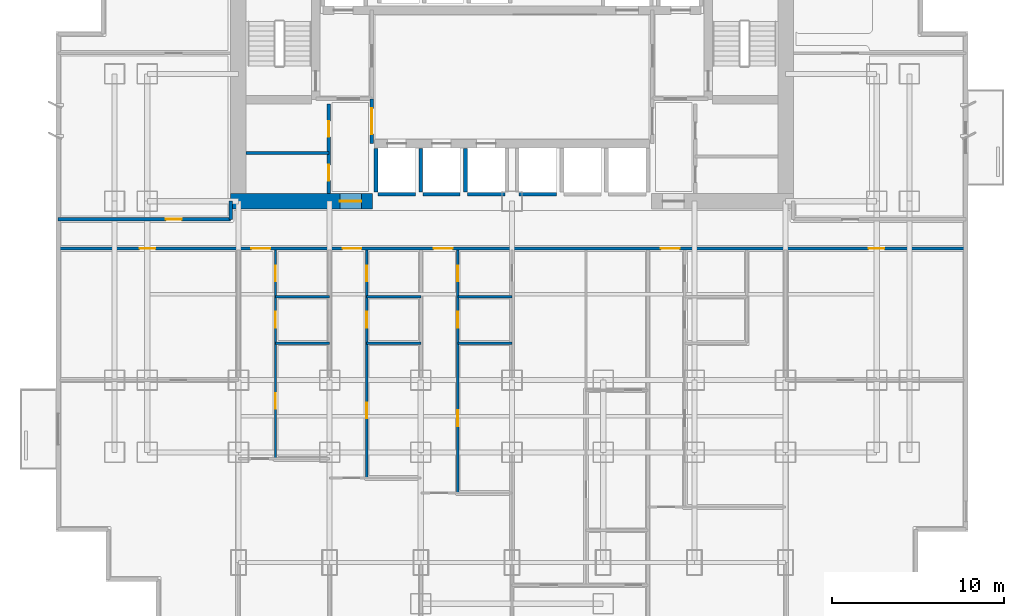
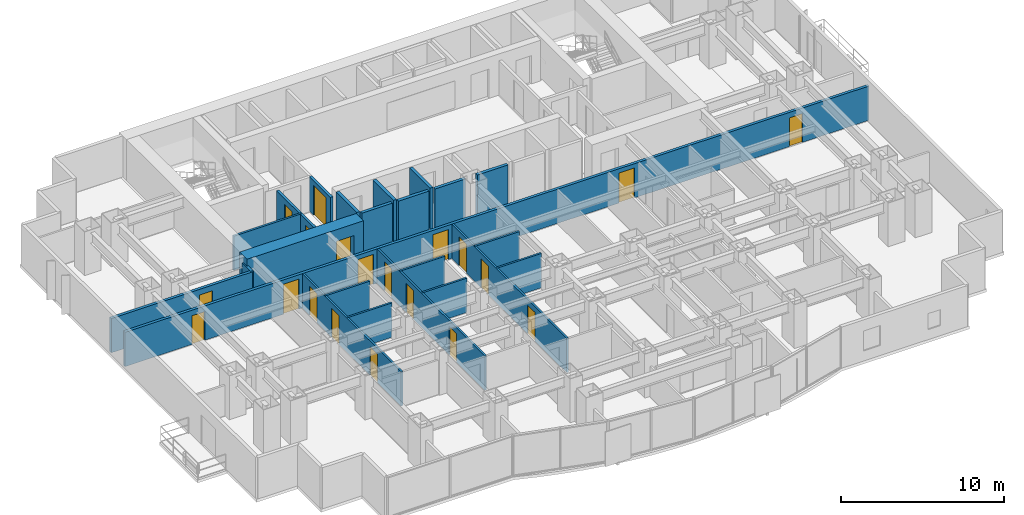
# One storey, part 5 of 10: 23 walls, 20 doors, 20 openings.
"""IFC4 building model written with IfcOpenShell, lengths in metres."""

from ifc_helpers import new_model, si_unit, direction, frame, frame_2d, origin, place, context, subcontext, project, spatial, rectangle, extrude, material, layer, layer_set, type_object, element, fill, save


model = new_model("IFC4")

# Units and contexts
model_context = context("Model", 3, precision=1e-05, world=origin(), true_north=direction((0.0, 1.0)))
body_context = subcontext(model_context, "Body", "Model", "MODEL_VIEW")
ifc_project = project(units=[si_unit("LENGTHUNIT", "METRE"), si_unit("AREAUNIT", "SQUARE_METRE"), si_unit("VOLUMEUNIT", "CUBIC_METRE"), si_unit("PLANEANGLEUNIT", "RADIAN"), si_unit("MASSUNIT", "GRAM", prefix="KILO")], contexts=[model_context])

# Site, building, storey
site_placement = place(None, origin())
site = spatial("IfcSite", under=ifc_project, at=site_placement, CompositionType="ELEMENT")
building_placement = place(site_placement, origin())
building = spatial("IfcBuilding", under=site, at=building_placement, Name="Qianlan Lanfeng Residences", CompositionType="ELEMENT")
storey_placement = place(building_placement, frame((0.0, 0.0, 40.699951171875)))
storey = spatial("IfcBuildingStorey", under=building, at=storey_placement, Name="L10", CompositionType="ELEMENT", Elevation=40.699951171875)

# Wall, opening, door
ifc_material_1 = material(Name="Concrete C70", Category="concrete")
ifc_layer_1 = layer(ifc_material_1, 0.89990234375)
ifc_layer_set_1 = layer_set([ifc_layer_1], Name="Concrete C70")
wall_type_1 = type_object("IfcWallType", Name="CW-RC-900", PredefinedType="SHEAR", material=ifc_layer_set_1)
wall_1_placement = place(storey_placement, frame((10.14990234375, 25.199951171875, 0.0), z_axis=(0.0, 0.0, 1.0), x_axis=(1.0, 0.0, 0.0)))
wall_1 = element("IfcWall", 1, at=wall_1_placement, inside=storey, type_object=wall_type_1, Name="L10 Core Shear Wall SW", PredefinedType="SHEAR", context=body_context, shape_type="SweptSolid", body=[
    extrude(rectangle(XDim=8.25, YDim=0.89990234375, at=frame_2d((4.125, 0.0))), origin(), (0.0, 0.0, 1.0), 3.080078125),
])
opening_1_placement = place(wall_1_placement, frame((6.35009765625, 0.0, 0.0)))
opening_1 = element("IfcOpeningElement", 2, at=opening_1_placement, cuts=wall_1, Name="Opening L10-D01", PredefinedType="OPENING", context=body_context, shape_type="SweptSolid", body=[
    extrude(rectangle(XDim=1.25, YDim=2.199951171875, at=frame_2d((0.625, 1.10009765625))), frame((0.0, 0.4599609375, 0.0), z_axis=(0.0, -1.0, 0.0), x_axis=(1.0, 0.0, 0.0)), (0.0, 0.0, 1.0), 0.919921875),
])
ifc_material_2 = material(Name="Painted Galvanised Steel Fire Door", Category="steel")
door_type_1 = type_object("IfcDoorType", Name="DT-FFL", OperationType="NOTDEFINED", PredefinedType="DOOR", material=ifc_material_2)
door_1_placement = place(opening_1_placement, frame((1.25, 0.0, 0.0), z_axis=(0.0, 0.0, 1.0), x_axis=(-1.0, 0.0, 0.0)))
door_1 = element("IfcDoor", 3, at=door_1_placement, inside=storey, type_object=door_type_1, Name="L10 West Core Lobby Smoke Door L10-D01 (DT-FFL)", OperationType="SINGLE_SWING_RIGHT", OverallHeight=2.199951171875, OverallWidth=1.25, PredefinedType="DOOR", context=body_context, shape_type="SweptSolid", body=[
    extrude(rectangle(XDim=1.25, YDim=2.199951171875, at=frame_2d((0.625, 1.10009765625))), frame((0.0, 0.02490234375, 0.0), z_axis=(0.0, -1.0, 0.0), x_axis=(1.0, 0.0, 0.0)), (0.0, 0.0, 1.0), 0.050048828125),
])
fill(opening_1, door_1)

# Wall, openings, doors
ifc_material_3 = material(Name="Moisture-Resistant Gypsum Partition 135 mm")
ifc_layer_2 = layer(ifc_material_3, 0.135009765625)
ifc_layer_set_2 = layer_set([ifc_layer_2], Name="Moisture-Resistant Gypsum Partition 135 mm")
wall_type_2 = type_object("IfcWallType", Name="PW-135", PredefinedType="PARTITIONING", material=ifc_layer_set_2)
wall_2_placement = place(storey_placement, frame((12.75, 10.219970703125, 0.0), z_axis=(0.0, 0.0, 1.0), x_axis=(0.0, 1.0, 0.0)))
wall_2 = element("IfcWall", 4, at=wall_2_placement, inside=storey, type_object=wall_type_2, Name="L10 U01 Entry Hall Spine", PredefinedType="PARTITIONING", context=body_context, shape_type="SweptSolid", body=[
    extrude(rectangle(XDim=12.130126953125, YDim=0.135009765625, at=frame_2d((6.06494140625, 0.0))), origin(), (0.0, 0.0, 1.0), 2.570068359375),
])
opening_2_placement = place(wall_2_placement, frame((2.905029296875, 0.0, 0.0)))
opening_2 = element("IfcOpeningElement", 5, at=opening_2_placement, cuts=wall_2, Name="Opening L10-D17", PredefinedType="OPENING", context=body_context, shape_type="SweptSolid", body=[
    extrude(rectangle(XDim=0.919921875, YDim=2.14990234375, at=frame_2d((0.4599609375, 1.074951171875))), frame((0.0, 0.07763671875, 0.0), z_axis=(0.0, -1.0, 0.0), x_axis=(1.0, 0.0, 0.0)), (0.0, 0.0, 1.0), 0.155029296875),
])
opening_3_placement = place(wall_2_placement, frame((7.6201171875, 0.0, 0.0)))
opening_3 = element("IfcOpeningElement", 6, at=opening_3_placement, cuts=wall_2, Name="Opening L10-D18", PredefinedType="OPENING", context=body_context, shape_type="SweptSolid", body=[
    extrude(rectangle(XDim=0.919921875, YDim=2.14990234375, at=frame_2d((0.4599609375, 1.074951171875))), frame((0.0, 0.07763671875, 0.0), z_axis=(0.0, -1.0, 0.0), x_axis=(1.0, 0.0, 0.0)), (0.0, 0.0, 1.0), 0.155029296875),
])
opening_4_placement = place(wall_2_placement, frame((10.330078125, 0.0, 0.0)))
opening_4 = element("IfcOpeningElement", 7, at=opening_4_placement, cuts=wall_2, Name="Opening L10-D19", PredefinedType="OPENING", context=body_context, shape_type="SweptSolid", body=[
    extrude(rectangle(XDim=0.89990234375, YDim=2.14990234375, at=frame_2d((0.449951171875, 1.074951171875))), frame((0.0, 0.07763671875, 0.0), z_axis=(0.0, -1.0, 0.0), x_axis=(1.0, 0.0, 0.0)), (0.0, 0.0, 1.0), 0.155029296875),
])
ifc_material_4 = material(Name="Glazed Timber Kitchen/Study Door", Category="wood")
door_type_2 = type_object("IfcDoorType", Name="DT-INT", OperationType="NOTDEFINED", PredefinedType="DOOR", material=ifc_material_4)
door_2_placement = place(opening_2_placement, origin())
door_2 = element("IfcDoor", 8, at=door_2_placement, inside=storey, type_object=door_type_2, Name="L10 U01 Study Door L10-D17 (DT-INT)", OperationType="SINGLE_SWING_RIGHT", OverallHeight=2.14990234375, OverallWidth=0.919921875, PredefinedType="DOOR", context=body_context, shape_type="SweptSolid", body=[
    extrude(rectangle(XDim=0.919921875, YDim=2.14990234375, at=frame_2d((0.4599609375, 1.074951171875))), frame((0.0, 0.02490234375, 0.0), z_axis=(0.0, -1.0, 0.0), x_axis=(1.0, 0.0, 0.0)), (0.0, 0.0, 1.0), 0.050048828125),
])
fill(opening_2, door_2)
door_3_placement = place(opening_3_placement, origin())
door_3 = element("IfcDoor", 9, at=door_3_placement, inside=storey, type_object=door_type_2, Name="L10 U01 Kitchen Door L10-D18 (DT-INT)", OperationType="SINGLE_SWING_LEFT", OverallHeight=2.14990234375, OverallWidth=0.919921875, PredefinedType="DOOR", context=body_context, shape_type="SweptSolid", body=[
    extrude(rectangle(XDim=0.919921875, YDim=2.14990234375, at=frame_2d((0.4599609375, 1.074951171875))), frame((0.0, 0.02490234375, 0.0), z_axis=(0.0, -1.0, 0.0), x_axis=(1.0, 0.0, 0.0)), (0.0, 0.0, 1.0), 0.050048828125),
])
fill(opening_3, door_3)
ifc_material_5 = material(Name="Moisture-Resistant Timber Leaf", Category="wood")
door_type_3 = type_object("IfcDoorType", Name="DT-WC", OperationType="NOTDEFINED", PredefinedType="DOOR", material=ifc_material_5)
door_4_placement = place(opening_4_placement, origin())
door_4 = element("IfcDoor", 10, at=door_4_placement, inside=storey, type_object=door_type_3, Name="L10 U01 Bathroom Door L10-D19 (DT-WC)", OperationType="SINGLE_SWING_RIGHT", OverallHeight=2.14990234375, OverallWidth=0.89990234375, PredefinedType="DOOR", context=body_context, shape_type="SweptSolid", body=[
    extrude(rectangle(XDim=0.89990234375, YDim=2.14990234375, at=frame_2d((0.449951171875, 1.074951171875))), frame((0.0, 0.02490234375, 0.0), z_axis=(0.0, -1.0, 0.0), x_axis=(1.0, 0.0, 0.0)), (0.0, 0.0, 1.0), 0.050048828125),
])
fill(opening_4, door_4)

# Walls
for number, where, z_axis, x_axis, name in (
    (11, (12.75, 16.949951171875, 0.0), (0.0, 0.0, 1.0), (1.0, 0.0, 0.0), "L10 U01 Kitchen South Wall"),
    (12, (12.75, 19.64990234375, 0.0), (0.0, 0.0, 1.0), (1.0, 0.0, 0.0), "L10 U01 Bathroom South Wall"),
):
    element("IfcWall", number, at=place(storey_placement, frame(where, z_axis=z_axis, x_axis=x_axis)), inside=storey, type_object=wall_type_2, Name=name, PredefinedType="PARTITIONING", context=body_context, shape_type="SweptSolid", body=[
        extrude(rectangle(XDim=3.14990234375, YDim=0.135009765625, at=frame_2d((1.574951171875, 0.0))), origin(), (0.0, 0.0, 1.0), 2.570068359375),
    ])

# Wall, openings, doors
wall_3_placement = place(storey_placement, frame((18.050048828125, 9.112060546875, 0.0), z_axis=(0.0, 0.0, 1.0), x_axis=(0.0, 1.0, 0.0)))
wall_3 = element("IfcWall", 13, at=wall_3_placement, inside=storey, type_object=wall_type_2, Name="L10 U02 Entry Hall Spine", PredefinedType="PARTITIONING", context=body_context, shape_type="SweptSolid", body=[
    extrude(rectangle(XDim=13.238037109375, YDim=0.135009765625, at=frame_2d((6.619140625, 0.0))), origin(), (0.0, 0.0, 1.0), 2.570068359375),
])
opening_5_placement = place(wall_3_placement, frame((3.458984375, 0.0, 0.0)))
opening_5 = element("IfcOpeningElement", 14, at=opening_5_placement, cuts=wall_3, Name="Opening L10-D22", PredefinedType="OPENING", context=body_context, shape_type="SweptSolid", body=[
    extrude(rectangle(XDim=0.919921875, YDim=2.14990234375, at=frame_2d((0.4599609375, 1.074951171875))), frame((0.0, 0.07763671875, 0.0), z_axis=(0.0, -1.0, 0.0), x_axis=(1.0, 0.0, 0.0)), (0.0, 0.0, 1.0), 0.155029296875),
])
opening_6_placement = place(wall_3_placement, frame((8.72802734375, 0.0, 0.0)))
opening_6 = element("IfcOpeningElement", 15, at=opening_6_placement, cuts=wall_3, Name="Opening L10-D23", PredefinedType="OPENING", context=body_context, shape_type="SweptSolid", body=[
    extrude(rectangle(XDim=0.919921875, YDim=2.14990234375, at=frame_2d((0.4599609375, 1.074951171875))), frame((0.0, 0.07763671875, 0.0), z_axis=(0.0, -1.0, 0.0), x_axis=(1.0, 0.0, 0.0)), (0.0, 0.0, 1.0), 0.155029296875),
])
opening_7_placement = place(wall_3_placement, frame((11.43798828125, 0.0, 0.0)))
opening_7 = element("IfcOpeningElement", 16, at=opening_7_placement, cuts=wall_3, Name="Opening L10-D24", PredefinedType="OPENING", context=body_context, shape_type="SweptSolid", body=[
    extrude(rectangle(XDim=0.89990234375, YDim=2.14990234375, at=frame_2d((0.449951171875, 1.074951171875))), frame((0.0, 0.07763671875, 0.0), z_axis=(0.0, -1.0, 0.0), x_axis=(1.0, 0.0, 0.0)), (0.0, 0.0, 1.0), 0.155029296875),
])
door_5_placement = place(opening_5_placement, origin())
door_5 = element("IfcDoor", 17, at=door_5_placement, inside=storey, type_object=door_type_2, Name="L10 U02 Study Door L10-D22 (DT-INT)", OperationType="SINGLE_SWING_LEFT", OverallHeight=2.14990234375, OverallWidth=0.919921875, PredefinedType="DOOR", context=body_context, shape_type="SweptSolid", body=[
    extrude(rectangle(XDim=0.919921875, YDim=2.14990234375, at=frame_2d((0.4599609375, 1.074951171875))), frame((0.0, 0.02490234375, 0.0), z_axis=(0.0, -1.0, 0.0), x_axis=(1.0, 0.0, 0.0)), (0.0, 0.0, 1.0), 0.050048828125),
])
fill(opening_5, door_5)
door_6_placement = place(opening_6_placement, origin())
door_6 = element("IfcDoor", 18, at=door_6_placement, inside=storey, type_object=door_type_2, Name="L10 U02 Kitchen Door L10-D23 (DT-INT)", OperationType="SINGLE_SWING_RIGHT", OverallHeight=2.14990234375, OverallWidth=0.919921875, PredefinedType="DOOR", context=body_context, shape_type="SweptSolid", body=[
    extrude(rectangle(XDim=0.919921875, YDim=2.14990234375, at=frame_2d((0.4599609375, 1.074951171875))), frame((0.0, 0.02490234375, 0.0), z_axis=(0.0, -1.0, 0.0), x_axis=(1.0, 0.0, 0.0)), (0.0, 0.0, 1.0), 0.050048828125),
])
fill(opening_6, door_6)
door_7_placement = place(opening_7_placement, origin())
door_7 = element("IfcDoor", 19, at=door_7_placement, inside=storey, type_object=door_type_3, Name="L10 U02 Bathroom Door L10-D24 (DT-WC)", OperationType="SINGLE_SWING_LEFT", OverallHeight=2.14990234375, OverallWidth=0.89990234375, PredefinedType="DOOR", context=body_context, shape_type="SweptSolid", body=[
    extrude(rectangle(XDim=0.89990234375, YDim=2.14990234375, at=frame_2d((0.449951171875, 1.074951171875))), frame((0.0, 0.02490234375, 0.0), z_axis=(0.0, -1.0, 0.0), x_axis=(1.0, 0.0, 0.0)), (0.0, 0.0, 1.0), 0.050048828125),
])
fill(opening_7, door_7)

# Walls
for number, where, z_axis, x_axis, name in (
    (20, (18.050048828125, 16.949951171875, 0.0), (0.0, 0.0, 1.0), (1.0, 0.0, 0.0), "L10 U02 Kitchen South Wall"),
    (21, (18.050048828125, 19.64990234375, 0.0), (0.0, 0.0, 1.0), (1.0, 0.0, 0.0), "L10 U02 Bathroom South Wall"),
):
    element("IfcWall", number, at=place(storey_placement, frame(where, z_axis=z_axis, x_axis=x_axis)), inside=storey, type_object=wall_type_2, Name=name, PredefinedType="PARTITIONING", context=body_context, shape_type="SweptSolid", body=[
        extrude(rectangle(XDim=3.14990234375, YDim=0.135009765625, at=frame_2d((1.574951171875, 0.0))), origin(), (0.0, 0.0, 1.0), 2.570068359375),
    ])

# Wall, openings, doors
wall_4_placement = place(storey_placement, frame((23.35009765625, 8.23388671875, 0.0), z_axis=(0.0, 0.0, 1.0), x_axis=(0.0, 1.0, 0.0)))
wall_4 = element("IfcWall", 22, at=wall_4_placement, inside=storey, type_object=wall_type_2, Name="L10 U03 Entry Hall Spine", PredefinedType="PARTITIONING", context=body_context, shape_type="SweptSolid", body=[
    extrude(rectangle(XDim=14.1162109375, YDim=0.135009765625, at=frame_2d((7.05810546875, 0.0))), origin(), (0.0, 0.0, 1.0), 2.570068359375),
])
opening_8_placement = place(wall_4_placement, frame((3.89794921875, 0.0, 0.0)))
opening_8 = element("IfcOpeningElement", 23, at=opening_8_placement, cuts=wall_4, Name="Opening L10-D28", PredefinedType="OPENING", context=body_context, shape_type="SweptSolid", body=[
    extrude(rectangle(XDim=0.919921875, YDim=2.14990234375, at=frame_2d((0.4599609375, 1.074951171875))), frame((0.0, 0.07763671875, 0.0), z_axis=(0.0, -1.0, 0.0), x_axis=(1.0, 0.0, 0.0)), (0.0, 0.0, 1.0), 0.155029296875),
])
opening_9_placement = place(wall_4_placement, frame((9.60595703125, 0.0, 0.0)))
opening_9 = element("IfcOpeningElement", 24, at=opening_9_placement, cuts=wall_4, Name="Opening L10-D29", PredefinedType="OPENING", context=body_context, shape_type="SweptSolid", body=[
    extrude(rectangle(XDim=0.919921875, YDim=2.14990234375, at=frame_2d((0.4599609375, 1.074951171875))), frame((0.0, 0.07763671875, 0.0), z_axis=(0.0, -1.0, 0.0), x_axis=(1.0, 0.0, 0.0)), (0.0, 0.0, 1.0), 0.155029296875),
])
opening_10_placement = place(wall_4_placement, frame((12.31591796875, 0.0, 0.0)))
opening_10 = element("IfcOpeningElement", 25, at=opening_10_placement, cuts=wall_4, Name="Opening L10-D30", PredefinedType="OPENING", context=body_context, shape_type="SweptSolid", body=[
    extrude(rectangle(XDim=0.89990234375, YDim=2.14990234375, at=frame_2d((0.449951171875, 1.074951171875))), frame((0.0, 0.07763671875, 0.0), z_axis=(0.0, -1.0, 0.0), x_axis=(1.0, 0.0, 0.0)), (0.0, 0.0, 1.0), 0.155029296875),
])
door_8_placement = place(opening_8_placement, origin())
door_8 = element("IfcDoor", 26, at=door_8_placement, inside=storey, type_object=door_type_2, Name="L10 U03 Study Door L10-D28 (DT-INT)", OperationType="SINGLE_SWING_LEFT", OverallHeight=2.14990234375, OverallWidth=0.919921875, PredefinedType="DOOR", context=body_context, shape_type="SweptSolid", body=[
    extrude(rectangle(XDim=0.919921875, YDim=2.14990234375, at=frame_2d((0.4599609375, 1.074951171875))), frame((0.0, 0.02490234375, 0.0), z_axis=(0.0, -1.0, 0.0), x_axis=(1.0, 0.0, 0.0)), (0.0, 0.0, 1.0), 0.050048828125),
])
fill(opening_8, door_8)
door_9_placement = place(opening_9_placement, origin())
door_9 = element("IfcDoor", 27, at=door_9_placement, inside=storey, type_object=door_type_2, Name="L10 U03 Kitchen Door L10-D29 (DT-INT)", OperationType="SINGLE_SWING_RIGHT", OverallHeight=2.14990234375, OverallWidth=0.919921875, PredefinedType="DOOR", context=body_context, shape_type="SweptSolid", body=[
    extrude(rectangle(XDim=0.919921875, YDim=2.14990234375, at=frame_2d((0.4599609375, 1.074951171875))), frame((0.0, 0.02490234375, 0.0), z_axis=(0.0, -1.0, 0.0), x_axis=(1.0, 0.0, 0.0)), (0.0, 0.0, 1.0), 0.050048828125),
])
fill(opening_9, door_9)
door_10_placement = place(opening_10_placement, origin())
door_10 = element("IfcDoor", 28, at=door_10_placement, inside=storey, type_object=door_type_3, Name="L10 U03 Bathroom Door L10-D30 (DT-WC)", OperationType="SINGLE_SWING_LEFT", OverallHeight=2.14990234375, OverallWidth=0.89990234375, PredefinedType="DOOR", context=body_context, shape_type="SweptSolid", body=[
    extrude(rectangle(XDim=0.89990234375, YDim=2.14990234375, at=frame_2d((0.449951171875, 1.074951171875))), frame((0.0, 0.02490234375, 0.0), z_axis=(0.0, -1.0, 0.0), x_axis=(1.0, 0.0, 0.0)), (0.0, 0.0, 1.0), 0.050048828125),
])
fill(opening_10, door_10)

# Walls
for number, where, z_axis, x_axis, name in (
    (29, (23.35009765625, 16.949951171875, 0.0), (0.0, 0.0, 1.0), (1.0, 0.0, 0.0), "L10 U03 Kitchen South Wall"),
    (30, (23.35009765625, 19.64990234375, 0.0), (0.0, 0.0, 1.0), (1.0, 0.0, 0.0), "L10 U03 Bathroom South Wall"),
):
    element("IfcWall", number, at=place(storey_placement, frame(where, z_axis=z_axis, x_axis=x_axis)), inside=storey, type_object=wall_type_2, Name=name, PredefinedType="PARTITIONING", context=body_context, shape_type="SweptSolid", body=[
        extrude(rectangle(XDim=3.14990234375, YDim=0.135009765625, at=frame_2d((1.574951171875, 0.0))), origin(), (0.0, 0.0, 1.0), 2.570068359375),
    ])
ifc_material_6 = material(Name="Acoustic Drywall Partition 150 mm")
ifc_layer_3 = layer(ifc_material_6, 0.14990234375)
ifc_layer_set_3 = layer_set([ifc_layer_3], Name="Acoustic Drywall Partition 150 mm")
wall_type_3 = type_object("IfcWallType", Name="PW-150", PredefinedType="PARTITIONING", material=ifc_layer_set_3)
wall_5_placement = place(storey_placement, frame((11.050048828125, 28.0, 0.0), z_axis=(0.0, 0.0, 1.0), x_axis=(1.0, 0.0, 0.0)))
element("IfcWall", 31, at=wall_5_placement, inside=storey, type_object=wall_type_3, Name="L10 Core West Split", PredefinedType="PARTITIONING", context=body_context, shape_type="SweptSolid", body=[
    extrude(rectangle(XDim=4.800048828125, YDim=0.14990234375, at=frame_2d((2.39990234375, 0.0))), origin(), (0.0, 0.0, 1.0), 2.570068359375),
])

# Wall, openings, doors
ifc_material_7 = material(Name="Double-Layer Acoustic Gypsum Stud Wall 180 mm")
ifc_layer_4 = layer(ifc_material_7, 0.179931640625)
ifc_layer_set_4 = layer_set([ifc_layer_4], Name="Double-Layer Acoustic Gypsum Stud Wall 180 mm")
wall_type_4 = type_object("IfcWallType", Name="PW-180", PredefinedType="PARTITIONING", material=ifc_layer_set_4)
wall_6_placement = place(storey_placement, frame((15.85009765625, 25.64990234375, 0.0), z_axis=(0.0, 0.0, 1.0), x_axis=(0.0, 1.0, 0.0)))
wall_6 = element("IfcWall", 32, at=wall_6_placement, inside=storey, type_object=wall_type_4, Name="L10 Core West Service Room Wall", PredefinedType="PARTITIONING", context=body_context, shape_type="SweptSolid", body=[
    extrude(rectangle(XDim=5.2001953125, YDim=0.179931640625, at=frame_2d((2.60009765625, 0.0))), origin(), (0.0, 0.0, 1.0), 2.570068359375),
])
opening_11_placement = place(wall_6_placement, frame((0.739990234375, 0.0, 0.0)))
opening_11 = element("IfcOpeningElement", 33, at=opening_11_placement, cuts=wall_6, Name="Opening L10-D09", PredefinedType="OPENING", context=body_context, shape_type="SweptSolid", body=[
    extrude(rectangle(XDim=0.919921875, YDim=2.14990234375, at=frame_2d((0.4599609375, 1.074951171875))), frame((0.0, 0.10009765625, 0.0), z_axis=(0.0, -1.0, 0.0), x_axis=(1.0, 0.0, 0.0)), (0.0, 0.0, 1.0), 0.199951171875),
])
opening_12_placement = place(wall_6_placement, frame((3.2900390625, 0.0, 0.0)))
opening_12 = element("IfcOpeningElement", 34, at=opening_12_placement, cuts=wall_6, Name="Opening L10-D10", PredefinedType="OPENING", context=body_context, shape_type="SweptSolid", body=[
    extrude(rectangle(XDim=0.919921875, YDim=2.14990234375, at=frame_2d((0.4599609375, 1.074951171875))), frame((0.0, 0.10009765625, 0.0), z_axis=(0.0, -1.0, 0.0), x_axis=(1.0, 0.0, 0.0)), (0.0, 0.0, 1.0), 0.199951171875),
])
door_11_placement = place(opening_11_placement, origin())
door_11 = element("IfcDoor", 35, at=door_11_placement, inside=storey, type_object=door_type_2, Name="L10 Parcel Room Door L10-D09 (DT-INT)", OperationType="SINGLE_SWING_LEFT", OverallHeight=2.14990234375, OverallWidth=0.919921875, PredefinedType="DOOR", context=body_context, shape_type="SweptSolid", body=[
    extrude(rectangle(XDim=0.919921875, YDim=2.14990234375, at=frame_2d((0.4599609375, 1.074951171875))), frame((0.0, 0.02490234375, 0.0), z_axis=(0.0, -1.0, 0.0), x_axis=(1.0, 0.0, 0.0)), (0.0, 0.0, 1.0), 0.050048828125),
])
fill(opening_11, door_11)
door_12_placement = place(opening_12_placement, origin())
door_12 = element("IfcDoor", 36, at=door_12_placement, inside=storey, type_object=door_type_2, Name="L10 Janitor Closet Door L10-D10 (DT-INT)", OperationType="SINGLE_SWING_LEFT", OverallHeight=2.14990234375, OverallWidth=0.919921875, PredefinedType="DOOR", context=body_context, shape_type="SweptSolid", body=[
    extrude(rectangle(XDim=0.919921875, YDim=2.14990234375, at=frame_2d((0.4599609375, 1.074951171875))), frame((0.0, 0.02490234375, 0.0), z_axis=(0.0, -1.0, 0.0), x_axis=(1.0, 0.0, 0.0)), (0.0, 0.0, 1.0), 0.050048828125),
])
fill(opening_12, door_12)

# Wall, opening, door
ifc_material_8 = material(Name="Autoclaved Aerated Concrete Blockwork 200 mm", Category="masonry")
ifc_layer_5 = layer(ifc_material_8, 0.199951171875)
ifc_layer_set_5 = layer_set([ifc_layer_5], Name="Autoclaved Aerated Concrete Blockwork 200 mm")
wall_type_5 = type_object("IfcWallType", Name="PW-200", PredefinedType="PARTITIONING", material=ifc_layer_set_5)
wall_7_placement = place(storey_placement, frame((18.35009765625, 28.550048828125, 0.0), z_axis=(0.0, 0.0, 1.0), x_axis=(0.0, 1.0, 0.0)))
wall_7 = element("IfcWall", 37, at=wall_7_placement, inside=storey, type_object=wall_type_5, Name="L10 Lift Lobby West Connector Wall", PredefinedType="PARTITIONING", context=body_context, shape_type="SweptSolid", body=[
    extrude(rectangle(XDim=2.599853515625, YDim=0.199951171875, at=frame_2d((1.2998046875, 0.0))), origin(), (0.0, 0.0, 1.0), 2.570068359375),
])
opening_13_placement = place(wall_7_placement, frame((0.550048828125, 0.0, 0.0)))
opening_13 = element("IfcOpeningElement", 38, at=opening_13_placement, cuts=wall_7, Name="Opening L10-D13", PredefinedType="OPENING", context=body_context, shape_type="SweptSolid", body=[
    extrude(rectangle(XDim=1.5, YDim=2.25, at=frame_2d((0.75, 1.125))), frame((0.0, 0.10986328125, 0.0), z_axis=(0.0, -1.0, 0.0), x_axis=(1.0, 0.0, 0.0)), (0.0, 0.0, 1.0), 0.219970703125),
])
ifc_material_9 = material(Name="Timber Veneer Acoustic Fire Door", Category="wood")
door_type_4 = type_object("IfcDoorType", Name="DT-COR1", OperationType="NOTDEFINED", PredefinedType="DOOR", material=ifc_material_9)
door_13_placement = place(opening_13_placement, origin())
door_13 = element("IfcDoor", 39, at=door_13_placement, inside=storey, type_object=door_type_4, Name="L10 Lift Lobby West Portal Door L10-D13 (DT-COR1)", OperationType="DOUBLE_DOOR_SINGLE_SWING", OverallHeight=2.25, OverallWidth=1.5, PredefinedType="DOOR", context=body_context, shape_type="SweptSolid", body=[
    extrude(rectangle(XDim=1.5, YDim=2.25, at=frame_2d((0.75, 1.125))), frame((0.0, 0.02490234375, 0.0), z_axis=(0.0, -1.0, 0.0), x_axis=(1.0, 0.0, 0.0)), (0.0, 0.0, 1.0), 0.050048828125),
])
fill(opening_13, door_13)

# Wall, openings, doors
wall_8_placement = place(storey_placement, frame((0.1201171875, 22.449951171875, 0.0), z_axis=(0.0, 0.0, 1.0), x_axis=(1.0, 0.0, 0.0)))
wall_8 = element("IfcWall", 40, at=wall_8_placement, inside=storey, type_object=wall_type_5, Name="L10 Residential Corridor South Fire Wall", PredefinedType="PARTITIONING", context=body_context, shape_type="SweptSolid", body=[
    extrude(rectangle(XDim=52.759765625, YDim=0.199951171875, at=frame_2d((26.3798828125, 0.0))), origin(), (0.0, 0.0, 1.0), 2.570068359375),
])
opening_14_placement = place(wall_8_placement, frame((11.22998046875, 0.0, 0.0)))
opening_14 = element("IfcOpeningElement", 41, at=opening_14_placement, cuts=wall_8, Name="Opening L10-D15", PredefinedType="OPENING", context=body_context, shape_type="SweptSolid", body=[
    extrude(rectangle(XDim=1.10009765625, YDim=2.25, at=frame_2d((0.550048828125, 1.125))), frame((0.0, 0.10986328125, 0.0), z_axis=(0.0, -1.0, 0.0), x_axis=(1.0, 0.0, 0.0)), (0.0, 0.0, 1.0), 0.219970703125),
])
opening_15_placement = place(wall_8_placement, frame((16.530029296875, 0.0, 0.0)))
opening_15 = element("IfcOpeningElement", 42, at=opening_15_placement, cuts=wall_8, Name="Opening L10-D20", PredefinedType="OPENING", context=body_context, shape_type="SweptSolid", body=[
    extrude(rectangle(XDim=1.10009765625, YDim=2.25, at=frame_2d((0.550048828125, 1.125))), frame((0.0, 0.10986328125, 0.0), z_axis=(0.0, -1.0, 0.0), x_axis=(1.0, 0.0, 0.0)), (0.0, 0.0, 1.0), 0.219970703125),
])
opening_16_placement = place(wall_8_placement, frame((21.830078125, 0.0, 0.0)))
opening_16 = element("IfcOpeningElement", 43, at=opening_16_placement, cuts=wall_8, Name="Opening L10-D25", PredefinedType="OPENING", context=body_context, shape_type="SweptSolid", body=[
    extrude(rectangle(XDim=1.10009765625, YDim=2.25, at=frame_2d((0.550048828125, 1.125))), frame((0.0, 0.10986328125, 0.0), z_axis=(0.0, -1.0, 0.0), x_axis=(1.0, 0.0, 0.0)), (0.0, 0.0, 1.0), 0.219970703125),
])
opening_17_placement = place(wall_8_placement, frame((35.030029296875, 0.0, 0.0)))
opening_17 = element("IfcOpeningElement", 44, at=opening_17_placement, cuts=wall_8, Name="Opening L10-D35", PredefinedType="OPENING", context=body_context, shape_type="SweptSolid", body=[
    extrude(rectangle(XDim=1.10009765625, YDim=2.25, at=frame_2d((0.550048828125, 1.125))), frame((0.0, 0.10986328125, 0.0), z_axis=(0.0, -1.0, 0.0), x_axis=(1.0, 0.0, 0.0)), (0.0, 0.0, 1.0), 0.219970703125),
])
opening_18_placement = place(wall_8_placement, frame((4.735107421875, 0.0, 0.0)))
opening_18 = element("IfcOpeningElement", 45, at=opening_18_placement, cuts=wall_8, Name="Opening L10-D41", PredefinedType="OPENING", context=body_context, shape_type="SweptSolid", body=[
    extrude(rectangle(XDim=0.919921875, YDim=2.14990234375, at=frame_2d((0.4599609375, 1.074951171875))), frame((0.0, 0.10986328125, 0.0), z_axis=(0.0, -1.0, 0.0), x_axis=(1.0, 0.0, 0.0)), (0.0, 0.0, 1.0), 0.219970703125),
])
opening_19_placement = place(wall_8_placement, frame((47.10498046875, 0.0, 0.0)))
opening_19 = element("IfcOpeningElement", 46, at=opening_19_placement, cuts=wall_8, Name="Opening L10-D43", PredefinedType="OPENING", context=body_context, shape_type="SweptSolid", body=[
    extrude(rectangle(XDim=0.919921875, YDim=2.14990234375, at=frame_2d((0.4599609375, 1.074951171875))), frame((0.0, 0.10986328125, 0.0), z_axis=(0.0, -1.0, 0.0), x_axis=(1.0, 0.0, 0.0)), (0.0, 0.0, 1.0), 0.219970703125),
])
door_14_placement = place(opening_18_placement, origin())
door_14 = element("IfcDoor", 47, at=door_14_placement, inside=storey, type_object=door_type_2, Name="L10 SWP Corridor Door L10-D41 (DT-INT)", OperationType="SINGLE_SWING_RIGHT", OverallHeight=2.14990234375, OverallWidth=0.919921875, PredefinedType="DOOR", context=body_context, shape_type="SweptSolid", body=[
    extrude(rectangle(XDim=0.919921875, YDim=2.14990234375, at=frame_2d((0.4599609375, 1.074951171875))), frame((0.0, 0.02490234375, 0.0), z_axis=(0.0, -1.0, 0.0), x_axis=(1.0, 0.0, 0.0)), (0.0, 0.0, 1.0), 0.050048828125),
])
fill(opening_18, door_14)
door_15_placement = place(opening_19_placement, origin())
door_15 = element("IfcDoor", 48, at=door_15_placement, inside=storey, type_object=door_type_2, Name="L10 SEP Corridor Door L10-D43 (DT-INT)", OperationType="SINGLE_SWING_RIGHT", OverallHeight=2.14990234375, OverallWidth=0.919921875, PredefinedType="DOOR", context=body_context, shape_type="SweptSolid", body=[
    extrude(rectangle(XDim=0.919921875, YDim=2.14990234375, at=frame_2d((0.4599609375, 1.074951171875))), frame((0.0, 0.02490234375, 0.0), z_axis=(0.0, -1.0, 0.0), x_axis=(1.0, 0.0, 0.0)), (0.0, 0.0, 1.0), 0.050048828125),
])
fill(opening_19, door_15)
ifc_material_10 = material(Name="Solid-Core Oak Veneer Fire Door")
door_type_5 = type_object("IfcDoorType", Name="DT-UNIT", OperationType="NOTDEFINED", PredefinedType="DOOR", material=ifc_material_10)
door_16_placement = place(opening_14_placement, origin())
door_16 = element("IfcDoor", 49, at=door_16_placement, inside=storey, type_object=door_type_5, Name="L10 Apartment U01 Entrance Door L10-D15 (DT-UNIT)", OperationType="SINGLE_SWING_RIGHT", OverallHeight=2.25, OverallWidth=1.10009765625, PredefinedType="DOOR", context=body_context, shape_type="SweptSolid", body=[
    extrude(rectangle(XDim=1.10009765625, YDim=2.25, at=frame_2d((0.550048828125, 1.125))), frame((0.0, 0.02490234375, 0.0), z_axis=(0.0, -1.0, 0.0), x_axis=(1.0, 0.0, 0.0)), (0.0, 0.0, 1.0), 0.050048828125),
])
fill(opening_14, door_16)
door_17_placement = place(opening_15_placement, origin())
door_17 = element("IfcDoor", 50, at=door_17_placement, inside=storey, type_object=door_type_5, Name="L10 Apartment U02 Entrance Door L10-D20 (DT-UNIT)", OperationType="SINGLE_SWING_RIGHT", OverallHeight=2.25, OverallWidth=1.10009765625, PredefinedType="DOOR", context=body_context, shape_type="SweptSolid", body=[
    extrude(rectangle(XDim=1.10009765625, YDim=2.25, at=frame_2d((0.550048828125, 1.125))), frame((0.0, 0.02490234375, 0.0), z_axis=(0.0, -1.0, 0.0), x_axis=(1.0, 0.0, 0.0)), (0.0, 0.0, 1.0), 0.050048828125),
])
fill(opening_15, door_17)
door_18_placement = place(opening_16_placement, origin())
door_18 = element("IfcDoor", 51, at=door_18_placement, inside=storey, type_object=door_type_5, Name="L10 Apartment U03 Entrance Door L10-D25 (DT-UNIT)", OperationType="SINGLE_SWING_RIGHT", OverallHeight=2.25, OverallWidth=1.10009765625, PredefinedType="DOOR", context=body_context, shape_type="SweptSolid", body=[
    extrude(rectangle(XDim=1.10009765625, YDim=2.25, at=frame_2d((0.550048828125, 1.125))), frame((0.0, 0.02490234375, 0.0), z_axis=(0.0, -1.0, 0.0), x_axis=(1.0, 0.0, 0.0)), (0.0, 0.0, 1.0), 0.050048828125),
])
fill(opening_16, door_18)
door_19_placement = place(opening_17_placement, origin())
door_19 = element("IfcDoor", 52, at=door_19_placement, inside=storey, type_object=door_type_5, Name="L10 Apartment U04 Entrance Door L10-D35 (DT-UNIT)", OperationType="SINGLE_SWING_RIGHT", OverallHeight=2.25, OverallWidth=1.10009765625, PredefinedType="DOOR", context=body_context, shape_type="SweptSolid", body=[
    extrude(rectangle(XDim=1.10009765625, YDim=2.25, at=frame_2d((0.550048828125, 1.125))), frame((0.0, 0.02490234375, 0.0), z_axis=(0.0, -1.0, 0.0), x_axis=(1.0, 0.0, 0.0)), (0.0, 0.0, 1.0), 0.050048828125),
])
fill(opening_17, door_19)

# Wall, opening, door
wall_9_placement = place(storey_placement, frame((0.1201171875, 24.14990234375, 0.0), z_axis=(0.0, 0.0, 1.0), x_axis=(1.0, 0.0, 0.0)))
wall_9 = element("IfcWall", 53, at=wall_9_placement, inside=storey, type_object=wall_type_5, Name="L10 Corridor NW Wall", PredefinedType="PARTITIONING", context=body_context, shape_type="SweptSolid", body=[
    extrude(rectangle(XDim=10.02978515625, YDim=0.199951171875, at=frame_2d((5.014892578125, 0.0))), origin(), (0.0, 0.0, 1.0), 2.570068359375),
])
opening_20_placement = place(wall_9_placement, frame((6.2548828125, 0.0, 0.0)))
opening_20 = element("IfcOpeningElement", 54, at=opening_20_placement, cuts=wall_9, Name="Opening L10-D45", PredefinedType="OPENING", context=body_context, shape_type="SweptSolid", body=[
    extrude(rectangle(XDim=0.919921875, YDim=2.14990234375, at=frame_2d((0.4599609375, 1.074951171875))), frame((0.0, 0.10986328125, 0.0), z_axis=(0.0, -1.0, 0.0), x_axis=(1.0, 0.0, 0.0)), (0.0, 0.0, 1.0), 0.219970703125),
])
door_20_placement = place(opening_20_placement, origin())
door_20 = element("IfcDoor", 55, at=door_20_placement, inside=storey, type_object=door_type_2, Name="L10 WW Amenity Salon Door L10-D45 (DT-INT)", OperationType="SINGLE_SWING_RIGHT", OverallHeight=2.14990234375, OverallWidth=0.919921875, PredefinedType="DOOR", context=body_context, shape_type="SweptSolid", body=[
    extrude(rectangle(XDim=0.919921875, YDim=2.14990234375, at=frame_2d((0.4599609375, 1.074951171875))), frame((0.0, 0.02490234375, 0.0), z_axis=(0.0, -1.0, 0.0), x_axis=(1.0, 0.0, 0.0)), (0.0, 0.0, 1.0), 0.050048828125),
])
fill(opening_20, door_20)

# Walls
wall_10_placement = place(storey_placement, frame((10.14990234375, 24.14990234375, 0.0), z_axis=(0.0, 0.0, 1.0), x_axis=(0.0, 1.0, 0.0)))
element("IfcWall", 56, at=wall_10_placement, inside=storey, type_object=wall_type_5, Name="L10 NW Wing Core Return Wall", PredefinedType="PARTITIONING", context=body_context, shape_type="SweptSolid", body=[
    extrude(rectangle(XDim=1.050048828125, YDim=0.199951171875, at=frame_2d((0.52490234375, 0.0))), origin(), (0.0, 0.0, 1.0), 2.570068359375),
])
ifc_material_11 = material(Name="Concrete C49", Category="concrete")
ifc_layer_6 = layer(ifc_material_11, 0.219970703125)
ifc_layer_set_6 = layer_set([ifc_layer_6], Name="Concrete C49")
wall_type_6 = type_object("IfcWallType", Name="SHW-220", PredefinedType="SOLIDWALL", material=ifc_layer_set_6)
wall_11_placement = place(storey_placement, frame((18.60009765625, 25.719970703125, 0.0), z_axis=(0.0, 0.0, 1.0), x_axis=(0.0, 1.0, 0.0)))
element("IfcWall", 57, at=wall_11_placement, inside=storey, type_object=wall_type_6, Name="L10 Lift PL-L1 Shaft Wall W", PredefinedType="SOLIDWALL", context=body_context, shape_type="SweptSolid", body=[
    extrude(rectangle(XDim=2.530029296875, YDim=0.219970703125, at=frame_2d((1.26513671875, 0.0))), origin(), (0.0, 0.0, 1.0), 3.080078125),
])
wall_12_placement = place(storey_placement, frame((18.719970703125, 25.60009765625, 0.0), z_axis=(0.0, 0.0, 1.0), x_axis=(1.0, 0.0, 0.0)))
element("IfcWall", 58, at=wall_12_placement, inside=storey, type_object=wall_type_6, Name="L10 Lift PL-L1 Shaft Back Wall S", PredefinedType="SOLIDWALL", context=body_context, shape_type="SweptSolid", body=[
    extrude(rectangle(XDim=2.159912109375, YDim=0.219970703125, at=frame_2d((1.080078125, 0.0))), origin(), (0.0, 0.0, 1.0), 3.080078125),
])
wall_13_placement = place(storey_placement, frame((21.199951171875, 25.719970703125, 0.0), z_axis=(0.0, 0.0, 1.0), x_axis=(0.0, 1.0, 0.0)))
element("IfcWall", 59, at=wall_13_placement, inside=storey, type_object=wall_type_6, Name="L10 Lift PL-L2 Shaft Wall W", PredefinedType="SOLIDWALL", context=body_context, shape_type="SweptSolid", body=[
    extrude(rectangle(XDim=2.530029296875, YDim=0.219970703125, at=frame_2d((1.26513671875, 0.0))), origin(), (0.0, 0.0, 1.0), 3.080078125),
])
wall_14_placement = place(storey_placement, frame((21.320068359375, 25.60009765625, 0.0), z_axis=(0.0, 0.0, 1.0), x_axis=(1.0, 0.0, 0.0)))
element("IfcWall", 60, at=wall_14_placement, inside=storey, type_object=wall_type_6, Name="L10 Lift PL-L2 Shaft Back Wall S", PredefinedType="SOLIDWALL", context=body_context, shape_type="SweptSolid", body=[
    extrude(rectangle(XDim=2.159912109375, YDim=0.219970703125, at=frame_2d((1.080078125, 0.0))), origin(), (0.0, 0.0, 1.0), 3.080078125),
])
wall_15_placement = place(storey_placement, frame((23.800048828125, 25.719970703125, 0.0), z_axis=(0.0, 0.0, 1.0), x_axis=(0.0, 1.0, 0.0)))
element("IfcWall", 61, at=wall_15_placement, inside=storey, type_object=wall_type_6, Name="L10 Lift PL-L3 Shaft Wall W", PredefinedType="SOLIDWALL", context=body_context, shape_type="SweptSolid", body=[
    extrude(rectangle(XDim=2.530029296875, YDim=0.219970703125, at=frame_2d((1.26513671875, 0.0))), origin(), (0.0, 0.0, 1.0), 3.080078125),
])
for number, where, z_axis, x_axis, name in (
    (62, (23.919921875, 25.60009765625, 0.0), (0.0, 0.0, 1.0), (1.0, 0.0, 0.0), "L10 Lift PL-L3 Shaft Back Wall S"),
    (63, (26.919921875, 25.60009765625, 0.0), (0.0, 0.0, 1.0), (1.0, 0.0, 0.0), "L10 Lift PL-M1 Shaft Back Wall S"),
):
    element("IfcWall", number, at=place(storey_placement, frame(where, z_axis=z_axis, x_axis=x_axis)), inside=storey, type_object=wall_type_6, Name=name, PredefinedType="SOLIDWALL", context=body_context, shape_type="SweptSolid", body=[
        extrude(rectangle(XDim=2.16015625, YDim=0.219970703125, at=frame_2d((1.080078125, 0.0))), origin(), (0.0, 0.0, 1.0), 3.080078125),
    ])

save(model, "model.ifc")
